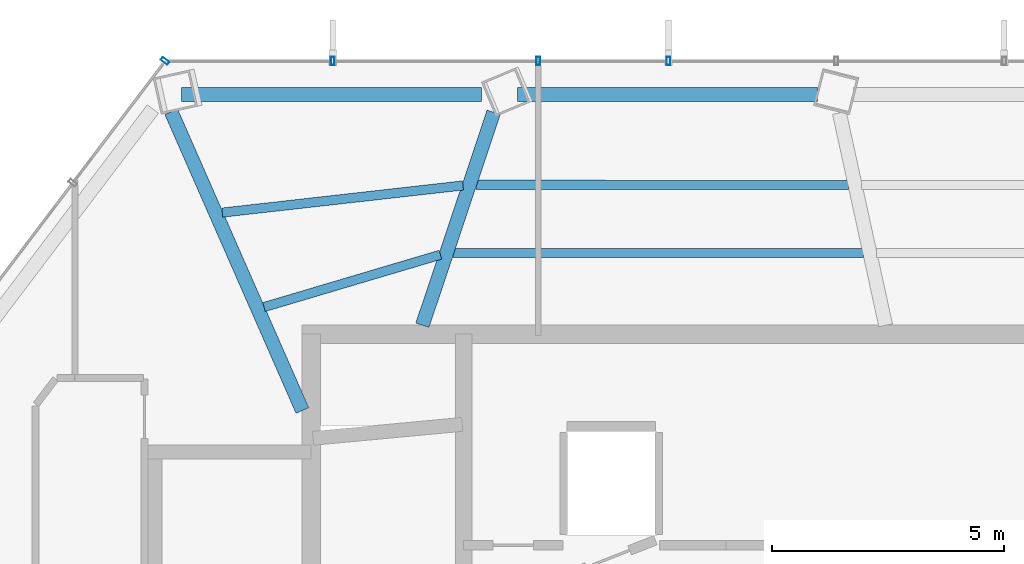
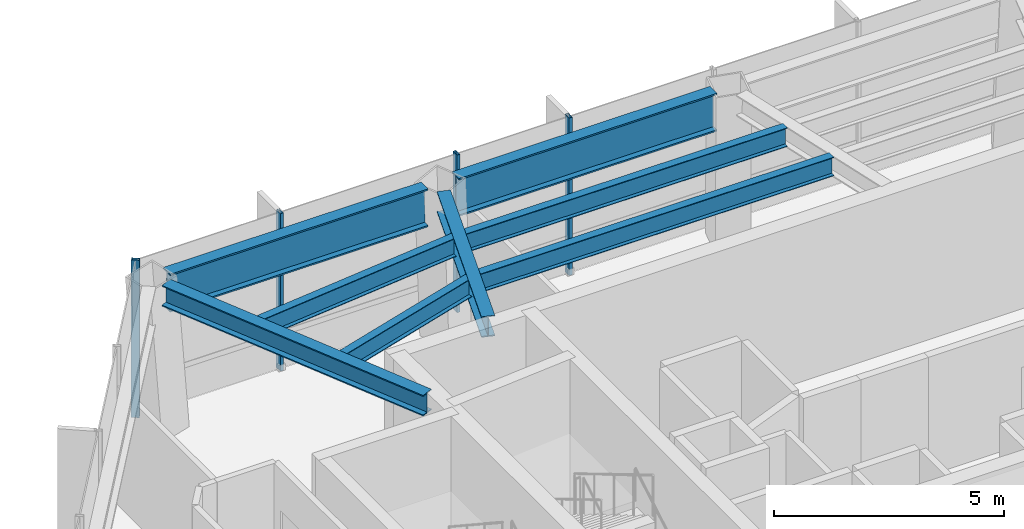
# One storey, part 11 of 25: 8 beams, 4 members, 2 elements without a shape of their own.
"""IFC4 building model written with IfcOpenShell, lengths in metres."""

from ifc_helpers import new_model, si_unit, direction, frame, origin, origin_2d, place, context, subcontext, project, spatial, hollow_rectangle, i_section, extrude, material, layer, layer_set, material_profile, profile_set, type_object, element, aggregate, save


model = new_model("IFC4")

# Units and contexts
model_context = context("Model", 3, precision=1e-05, world=origin(), true_north=direction((0.0, 1.0)))
body_context = subcontext(model_context, "Body", "Model", "MODEL_VIEW")
ifc_project = project(units=[si_unit("LENGTHUNIT", "METRE"), si_unit("AREAUNIT", "SQUARE_METRE"), si_unit("VOLUMEUNIT", "CUBIC_METRE"), si_unit("PLANEANGLEUNIT", "RADIAN"), si_unit("MASSUNIT", "GRAM", prefix="KILO")], contexts=[model_context])

# Site, building, storey
site_placement = place(None, origin())
site = spatial("IfcSite", under=ifc_project, at=site_placement, CompositionType="ELEMENT")
building_placement = place(site_placement, origin())
building = spatial("IfcBuilding", under=site, at=building_placement, Name="Zarrinselat Tower", CompositionType="ELEMENT")
storey_placement = place(building_placement, frame((0.0, 0.0, 119.0)))
storey = spatial("IfcBuildingStorey", under=building, at=storey_placement, Name="L28", CompositionType="ELEMENT", Elevation=119.0)

# Beams
ifc_material_1 = material(Name="Steel S355J2", Category="steel")
ifc_material_profile_1 = material_profile(ifc_material_1, i_section(OverallWidth=0.300048828125, OverallDepth=0.550048828125, WebThickness=0.014892578125, FlangeThickness=0.029052734375, at=origin_2d()), Name="HEB 550")
ifc_profile_set_1 = profile_set([ifc_material_profile_1], Name="Steel S355J2")
beam_type_1 = type_object("IfcBeamType", Name="BM-HEB550", PredefinedType="BEAM", material=ifc_profile_set_1)
beam_1_placement = place(storey_placement, frame((31.0, 43.639892578125, 3.905029296875), z_axis=(0.317466734823, 0.948269409124, 0.0), x_axis=(-0.948269409124, 0.317466734823, 0.0)))
element("IfcBeam", 1, at=beam_1_placement, inside=storey, type_object=beam_type_1, Name="L28 Radial Primary Girder RG04", PredefinedType="BEAM", context=body_context, shape_type="SweptSolid", body=[
    extrude(i_section(OverallWidth=0.300048828125, OverallDepth=0.550048828125, WebThickness=0.014892578125, FlangeThickness=0.029052734375, at=origin_2d()), origin(), (0.0, 0.0, 1.0), 4.846435546875),
])
beam_2_placement = place(storey_placement, frame((25.578125, 48.24853515625, 3.905029296875), z_axis=(0.40207866755, -0.915605125096, 0.0), x_axis=(0.915605125096, 0.40207866755, 0.0)))
element("IfcBeam", 2, at=beam_2_placement, inside=storey, type_object=beam_type_1, Name="L28 Radial Primary Girder RG05", PredefinedType="BEAM", context=body_context, shape_type="SweptSolid", body=[
    extrude(i_section(OverallWidth=0.300048828125, OverallDepth=0.550048828125, WebThickness=0.014892578125, FlangeThickness=0.029052734375, at=origin_2d()), origin(), (0.0, 0.0, 1.0), 7.04296875),
])
ifc_material_2 = material(Name="Steel S460M", Category="steel")
ifc_material_profile_2 = material_profile(ifc_material_2, i_section(OverallWidth=0.302001953125, OverallDepth=1.008056640625, WebThickness=0.02099609375, FlangeThickness=0.0400390625, at=origin_2d()), Name="HEM 1000")
ifc_profile_set_2 = profile_set([ifc_material_profile_2], Name="Steel S460M")
beam_type_2 = type_object("IfcBeamType", Name="BM-HEM1000", PredefinedType="BEAM", material=ifc_profile_set_2)
for number, where, z_axis, x_axis, name in (
    (3, (33.05419921875, 48.61669921875, 3.676025390625), (1.0, 0.0, 0.0), (0.0, 1.0, 0.0), "L28 Perimeter Spandrel Girder SP03"),
    (4, (25.8046875, 48.61669921875, 3.676025390625), (1.0, 0.0, 0.0), (0.0, 1.0, 0.0), "L28 Perimeter Spandrel Girder SP04"),
):
    element("IfcBeam", number, at=place(storey_placement, frame(where, z_axis=z_axis, x_axis=x_axis)), inside=storey, type_object=beam_type_2, Name=name, PredefinedType="BEAM", context=body_context, shape_type="SweptSolid", body=[
        extrude(i_section(OverallWidth=0.302001953125, OverallDepth=1.008056640625, WebThickness=0.02099609375, FlangeThickness=0.0400390625, at=origin_2d()), origin(), (0.0, 0.0, 1.0), 6.473388671875),
    ])
ifc_material_3 = material(Name="Steel S355J2", Category="steel")
ifc_material_profile_3 = material_profile(ifc_material_3, i_section(OverallWidth=0.199951171875, OverallDepth=0.5, WebThickness=0.01025390625, FlangeThickness=0.01611328125, at=origin_2d()), Name="IPE 500")
ifc_profile_set_3 = profile_set([ifc_material_profile_3], Name="Steel S355J2")
beam_type_3 = type_object("IfcBeamType", Name="BM-IPE500", PredefinedType="JOIST", material=ifc_profile_set_3)
beam_3_placement = place(storey_placement, frame((32.155517578125, 46.6728515625, 3.929931640625), z_axis=(0.999999585598, -0.000910387144, 0.0), x_axis=(0.000910387144, 0.999999585598, 0.0)))
element("IfcBeam", 5, at=beam_3_placement, inside=storey, type_object=beam_type_3, Name="L28 Composite Floor Joist 8-1", PredefinedType="JOIST", context=body_context, shape_type="SweptSolid", body=[
    extrude(i_section(OverallWidth=0.199951171875, OverallDepth=0.5, WebThickness=0.01025390625, FlangeThickness=0.01611328125, at=origin_2d()), origin(), (0.0, 0.0, 1.0), 8.045166015625),
])
beam_4_placement = place(storey_placement, frame((31.6630859375, 45.202392578125, 3.929931640625), z_axis=(0.999999902753, -0.00044101429, 0.0), x_axis=(0.00044101429, 0.999999902753, 0.0)))
element("IfcBeam", 6, at=beam_4_placement, inside=storey, type_object=beam_type_3, Name="L28 Composite Floor Joist 8-2", PredefinedType="JOIST", context=body_context, shape_type="SweptSolid", body=[
    extrude(i_section(OverallWidth=0.199951171875, OverallDepth=0.5, WebThickness=0.01025390625, FlangeThickness=0.01611328125, at=origin_2d()), origin(), (0.0, 0.0, 1.0), 8.857421875),
])
beam_5_placement = place(storey_placement, frame((26.68017578125, 46.07177734375, 3.929931640625), z_axis=(0.993707108531, 0.112009742676, 0.0), x_axis=(-0.112009742676, 0.993707108531, 0.0)))
element("IfcBeam", 7, at=beam_5_placement, inside=storey, type_object=beam_type_3, Name="L28 Composite Floor Joist 9-1", PredefinedType="JOIST", context=body_context, shape_type="SweptSolid", body=[
    extrude(i_section(OverallWidth=0.199951171875, OverallDepth=0.5, WebThickness=0.01025390625, FlangeThickness=0.01611328125, at=origin_2d()), origin(), (0.0, 0.0, 1.0), 5.22900390625),
])
beam_6_placement = place(storey_placement, frame((27.581298828125, 44.032470703125, 3.929931640625), z_axis=(0.958664682991, 0.284538267348, 0.0), x_axis=(-0.284538267348, 0.958664682991, 0.0)))
element("IfcBeam", 8, at=beam_6_placement, inside=storey, type_object=beam_type_3, Name="L28 Composite Floor Joist 9-2", PredefinedType="JOIST", context=body_context, shape_type="SweptSolid", body=[
    extrude(i_section(OverallWidth=0.199951171875, OverallDepth=0.5, WebThickness=0.01025390625, FlangeThickness=0.01611328125, at=origin_2d()), origin(), (0.0, 0.0, 1.0), 3.9716796875),
])

# Curtain wall, member
ifc_material_4 = material(Name="Extruded Aluminium Alloy EN AW-6063 T6", Category="aluminium")
ifc_layer = layer(ifc_material_4, 0.195068359375)
ifc_layer_set = layer_set([ifc_layer], Name="Extruded Aluminium Alloy EN AW-6063 T6")
curtain_wall_type = type_object("IfcCurtainWallType", Name="CWS-GDN", PredefinedType="NOTDEFINED", material=ifc_layer_set)
curtain_wall_1_placement = place(storey_placement, origin())
curtain_wall_1 = element("IfcCurtainWall", 9, at=curtain_wall_1_placement, inside=storey, type_object=curtain_wall_type, Name="L28 Unitised Curtain Wall CW-L28-E03", PredefinedType="NOTDEFINED")
ifc_material_5 = material(Name="Extruded Aluminium Alloy EN AW-6063 T6", Category="aluminium")
ifc_material_profile_4 = material_profile(ifc_material_5, hollow_rectangle(XDim=0.080078125, YDim=0.179931640625, WallThickness=0.0048828125, at=origin_2d()), Name="RHS 180x80x5")
ifc_profile_set_4 = profile_set([ifc_material_profile_4], Name="Extruded Aluminium Alloy EN AW-6063 T6")
member_type = type_object("IfcMemberType", Name="MEM-CW-MUL", PredefinedType="MULLION", material=ifc_profile_set_4)
member_1_placement = place(storey_placement, frame((25.4443359375, 49.344482421875, 0.0), z_axis=(0.0, 0.0, 1.0), x_axis=(0.603856508336, 0.797093041834, 0.0)))
member_1 = element("IfcMember", 10, at=member_1_placement, type_object=member_type, Name="CW-L28-E03 Mullion 5", PredefinedType="MULLION", context=body_context, shape_type="SweptSolid", body=[
    extrude(hollow_rectangle(XDim=0.080078125, YDim=0.179931640625, WallThickness=0.0048828125, at=origin_2d()), origin(), (0.0, 0.0, 1.0), 4.179931640625),
])
aggregate(curtain_wall_1, [member_1])

# Curtain wall, members
curtain_wall_2_placement = place(storey_placement, origin())
curtain_wall_2 = element("IfcCurtainWall", 11, at=curtain_wall_2_placement, inside=storey, type_object=curtain_wall_type, Name="L28 Unitised Curtain Wall CW-L28-E04", PredefinedType="NOTDEFINED")
member_2_placement = place(storey_placement, frame((29.067138671875, 49.344482421875, 0.0), z_axis=(0.0, 0.0, 1.0), x_axis=(1.0, 0.0, 0.0)))
member_2 = element("IfcMember", 12, at=member_2_placement, type_object=member_type, Name="CW-L28-E04 Mullion 1", PredefinedType="MULLION", context=body_context, shape_type="SweptSolid", body=[
    extrude(hollow_rectangle(XDim=0.080078125, YDim=0.179931640625, WallThickness=0.0048828125, at=origin_2d()), origin(), (0.0, 0.0, 1.0), 4.179931640625),
])
member_3_placement = place(storey_placement, frame((33.5, 49.344482421875, 0.0), z_axis=(0.0, 0.0, 1.0), x_axis=(1.0, 0.0, 0.0)))
member_3 = element("IfcMember", 13, at=member_3_placement, type_object=member_type, Name="CW-L28-E04 Mullion 2", PredefinedType="MULLION", context=body_context, shape_type="SweptSolid", body=[
    extrude(hollow_rectangle(XDim=0.080078125, YDim=0.179931640625, WallThickness=0.0048828125, at=origin_2d()), origin(), (0.0, 0.0, 1.0), 4.179931640625),
])
member_4_placement = place(storey_placement, frame((36.3125, 49.344482421875, 0.0), z_axis=(0.0, 0.0, 1.0), x_axis=(1.0, 0.0, 0.0)))
member_4 = element("IfcMember", 14, at=member_4_placement, type_object=member_type, Name="CW-L28-E04 Mullion 3", PredefinedType="MULLION", context=body_context, shape_type="SweptSolid", body=[
    extrude(hollow_rectangle(XDim=0.080078125, YDim=0.179931640625, WallThickness=0.0048828125, at=origin_2d()), origin(), (0.0, 0.0, 1.0), 4.179931640625),
])
aggregate(curtain_wall_2, [member_2, member_3, member_4])

save(model, "model.ifc")
